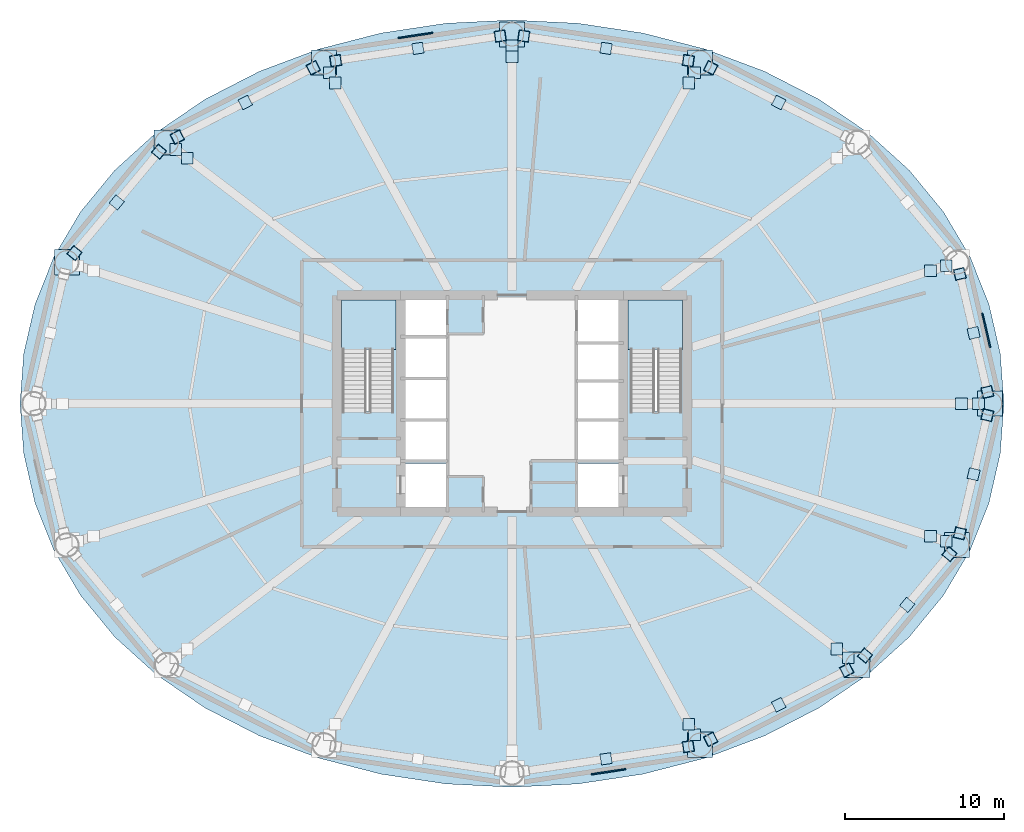
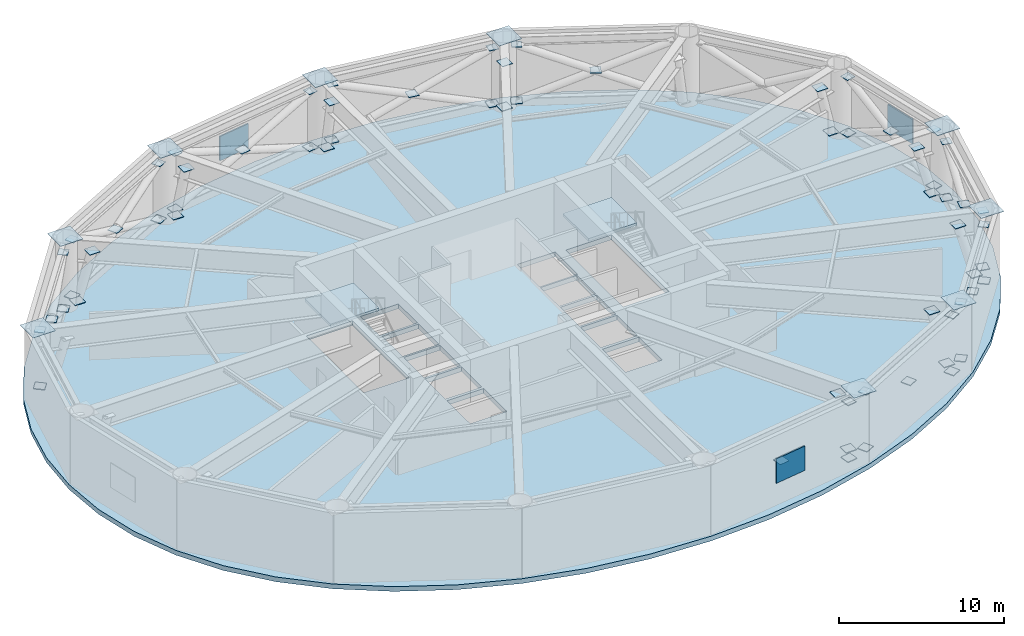
# One storey, part 4 of 7: 76 plates, 3 slabs, 2 elements without a shape of their own.
"""IFC4 building model written with IfcOpenShell, lengths in metres."""

from ifc_helpers import new_model, si_unit, direction, frame, origin, origin_2d, place, context, subcontext, project, spatial, polyline, rectangle, outline, extrude, material, layer, layer_set, type_object, element, aggregate, save


model = new_model("IFC4")

# Units and contexts
model_context = context("Model", 3, precision=1e-05, world=origin(), true_north=direction((0.0, 1.0)))
body_context = subcontext(model_context, "Body", "Model", "MODEL_VIEW")
ifc_project = project(units=[si_unit("LENGTHUNIT", "METRE"), si_unit("AREAUNIT", "SQUARE_METRE"), si_unit("VOLUMEUNIT", "CUBIC_METRE"), si_unit("PLANEANGLEUNIT", "RADIAN"), si_unit("MASSUNIT", "GRAM", prefix="KILO")], contexts=[model_context])

# Site, building, storey
site_placement = place(None, origin())
site = spatial("IfcSite", under=ifc_project, at=site_placement, CompositionType="ELEMENT")
building_placement = place(site_placement, origin())
building = spatial("IfcBuilding", under=site, at=building_placement, Name="Sarneth Arch Tower", CompositionType="ELEMENT")
storey_placement = place(building_placement, frame((0.0, 0.0, 78.60009765625)))
storey = spatial("IfcBuildingStorey", under=building, at=storey_placement, Name="L19", CompositionType="ELEMENT", Elevation=78.60009765625)

# Plates
ifc_material_1 = material(Name="Powder-coated Aluminium 6063-T6 stormproof acoustic louvre", Category="aluminium")
ifc_layer_1 = layer(ifc_material_1, 0.094970703125)
ifc_layer_set_1 = layer_set([ifc_layer_1], Name="Powder-coated Aluminium 6063-T6 stormproof acoustic louvre")
plate_type_1 = type_object("IfcPlateType", Name="LOUVRE-PLANT", PredefinedType="SHEET", material=ifc_layer_set_1)
for number, where, z_axis, x_axis, name in (
    (1, (77.784423828125, 46.60302734375, 1.6748046875), (0.0, 0.0, 1.0), (-0.225461202458, 0.974252147129, 0.0), "L19 Mechanical louvre 01"),
    (2, (41.938720703125, 65.119384765625, 1.6748046875), (0.0, 0.0, 1.0), (-0.988860535448, -0.148845024885, 0.0), "L19 Mechanical louvre 05"),
    (3, (54.061279296875, 18.880615234375, 1.6748046875), (0.0, 0.0, 1.0), (0.988860535448, 0.148845024885, 0.0), "L19 Mechanical louvre 13"),
):
    element("IfcPlate", number, at=place(storey_placement, frame(where, z_axis=z_axis, x_axis=x_axis)), inside=storey, type_object=plate_type_1, Name=name, PredefinedType="SHEET", context=body_context, shape_type="SweptSolid", body=[
        extrude(rectangle(XDim=2.199951171875, YDim=0.094970703125, at=origin_2d()), origin(), (0.0, 0.0, 1.0), 1.800048828125),
    ])
ifc_material_2 = material(Name="Steel S355", Category="steel")
ifc_layer_2 = layer(ifc_material_2, 0.035888671875)
ifc_layer_set_2 = layer_set([ifc_layer_2], Name="Steel S355")
plate_type_2 = type_object("IfcPlateType", Name="PLT-GUSSET-30", PredefinedType="SHEET", material=ifc_layer_set_2)
plate_1_placement = place(storey_placement, frame((77.000244140625, 46.439208984375, 2.4111328125), z_axis=(0.0, 0.0, 1.0), x_axis=(-0.226991275371, 0.973896791711, 0.0)))
element("IfcPlate", 4, at=plate_1_placement, inside=storey, type_object=plate_type_2, Name="Steel end cap plate GP-1", PredefinedType="SHEET", context=body_context, shape_type="SweptSolid", body=[
    extrude(rectangle(XDim=0.679931640625, YDim=0.679931640625, at=origin_2d()), origin(), (0.0, 0.0, 1.0), 0.035888671875),
])
for number, where, z_axis, x_axis, name in (
    (5, (77.864501953125, 42.73046875, 0.33203125), (0.0, 0.0, 1.0), (0.226991275371, -0.973896791711, 0.0), "Steel end cap plate GP-1"),
    (6, (76.1357421875, 50.14794921875, 0.33203125), (0.0, 0.0, 1.0), (-0.226991275371, 0.973896791711, 0.0), "Steel end cap plate GP-1"),
):
    element("IfcPlate", number, at=place(storey_placement, frame(where, z_axis=z_axis, x_axis=x_axis)), inside=storey, type_object=plate_type_2, Name=name, PredefinedType="SHEET", context=body_context, shape_type="SweptSolid", body=[
        extrude(rectangle(XDim=0.699951171875, YDim=0.699951171875, at=origin_2d()), origin(), (0.0, 0.0, 1.0), 0.035888671875),
    ])
for number, where, z_axis, x_axis, name in (
    (7, (77.864501953125, 42.73046875, 4.48974609375), (0.0, 0.0, 1.0), (0.226991275371, -0.973896791711, 0.0), "Steel end cap plate GP-1"),
    (8, (76.1357421875, 50.14794921875, 4.48974609375), (0.0, 0.0, 1.0), (-0.226991275371, 0.973896791711, 0.0), "Steel end cap plate GP-1"),
):
    element("IfcPlate", number, at=place(storey_placement, frame(where, z_axis=z_axis, x_axis=x_axis)), inside=storey, type_object=plate_type_2, Name=name, PredefinedType="SHEET", context=body_context, shape_type="SweptSolid", body=[
        extrude(rectangle(XDim=0.6298828125, YDim=0.6298828125, at=origin_2d()), origin(), (0.0, 0.0, 1.0), 0.035888671875),
    ])
for number, where, z_axis, x_axis, name in (
    (9, (77.3046875, 42.0, 0.43212890625), (0.0, 0.0, 1.0), (1.0, 0.0, 0.0), "Steel end cap plate GP-1"),
    (10, (76.236572265625, 42.0, 4.224609375), (0.0, 0.0, 1.0), (1.0, 0.0, 0.0), "Steel end cap plate GP-1"),
    (11, (75.270263671875, 50.65576171875, 0.43212890625), (0.0, 0.0, 1.0), (1.0, 0.0, 0.0), "Steel end cap plate GP-1"),
    (12, (74.291259765625, 50.342529296875, 4.224609375), (0.0, 0.0, 1.0), (1.0, 0.0, 0.0), "Steel end cap plate GP-1"),
):
    element("IfcPlate", number, at=place(storey_placement, frame(where, z_axis=z_axis, x_axis=x_axis)), inside=storey, type_object=plate_type_2, Name=name, PredefinedType="SHEET", context=body_context, shape_type="SweptSolid", body=[
        extrude(rectangle(XDim=0.72998046875, YDim=0.72998046875, at=origin_2d()), origin(), (0.0, 0.0, 1.0), 0.035888671875),
    ])
plate_2_placement = place(storey_placement, frame((64.75732421875, 60.91943359375, 2.4111328125), z_axis=(0.0, 0.0, 1.0), x_axis=(-0.891164942482, 0.453679452137, 0.0)))
element("IfcPlate", 13, at=plate_2_placement, inside=storey, type_object=plate_type_2, Name="Steel end cap plate GP-1", PredefinedType="SHEET", context=body_context, shape_type="SweptSolid", body=[
    extrude(rectangle(XDim=0.679931640625, YDim=0.679931640625, at=origin_2d()), origin(), (0.0, 0.0, 1.0), 0.035888671875),
])
plate_3_placement = place(storey_placement, frame((60.486083984375, 63.09375, 0.33203125), z_axis=(0.0, 0.0, 1.0), x_axis=(-0.891164942482, 0.453679452137, 0.0)))
element("IfcPlate", 14, at=plate_3_placement, inside=storey, type_object=plate_type_2, Name="Steel end cap plate GP-1", PredefinedType="SHEET", context=body_context, shape_type="SweptSolid", body=[
    extrude(rectangle(XDim=0.699951171875, YDim=0.699951171875, at=origin_2d()), origin(), (0.0, 0.0, 1.0), 0.035888671875),
])
plate_4_placement = place(storey_placement, frame((60.486083984375, 63.09375, 4.48974609375), z_axis=(0.0, 0.0, 1.0), x_axis=(-0.891164942482, 0.453679452137, 0.0)))
element("IfcPlate", 15, at=plate_4_placement, inside=storey, type_object=plate_type_2, Name="Steel end cap plate GP-1", PredefinedType="SHEET", context=body_context, shape_type="SweptSolid", body=[
    extrude(rectangle(XDim=0.6298828125, YDim=0.6298828125, at=origin_2d()), origin(), (0.0, 0.0, 1.0), 0.035888671875),
])
plate_5_placement = place(storey_placement, frame((53.908935546875, 64.31689453125, 2.4111328125), z_axis=(0.0, 0.0, 1.0), x_axis=(-0.989015863362, 0.14780941113, 0.0)))
element("IfcPlate", 16, at=plate_5_placement, inside=storey, type_object=plate_type_2, Name="Steel end cap plate GP-1", PredefinedType="SHEET", context=body_context, shape_type="SweptSolid", body=[
    extrude(rectangle(XDim=0.679931640625, YDim=0.679931640625, at=origin_2d()), origin(), (0.0, 0.0, 1.0), 0.035888671875),
])
for number, where, z_axis, x_axis, name in (
    (17, (59.076171875, 63.544921875, 0.33203125), (0.0, 0.0, 1.0), (0.989015863362, -0.14780941113, 0.0), "Steel end cap plate GP-1"),
    (18, (48.74169921875, 65.089111328125, 0.33203125), (0.0, 0.0, 1.0), (-0.989015863362, 0.14780941113, 0.0), "Steel end cap plate GP-1"),
):
    element("IfcPlate", number, at=place(storey_placement, frame(where, z_axis=z_axis, x_axis=x_axis)), inside=storey, type_object=plate_type_2, Name=name, PredefinedType="SHEET", context=body_context, shape_type="SweptSolid", body=[
        extrude(rectangle(XDim=0.699951171875, YDim=0.699951171875, at=origin_2d()), origin(), (0.0, 0.0, 1.0), 0.035888671875),
    ])
for number, where, z_axis, x_axis, name in (
    (19, (59.076171875, 63.544921875, 4.48974609375), (0.0, 0.0, 1.0), (0.989015863362, -0.14780941113, 0.0), "Steel end cap plate GP-1"),
    (20, (48.74169921875, 65.089111328125, 4.48974609375), (0.0, 0.0, 1.0), (-0.989015863362, 0.14780941113, 0.0), "Steel end cap plate GP-1"),
):
    element("IfcPlate", number, at=place(storey_placement, frame(where, z_axis=z_axis, x_axis=x_axis)), inside=storey, type_object=plate_type_2, Name=name, PredefinedType="SHEET", context=body_context, shape_type="SweptSolid", body=[
        extrude(rectangle(XDim=0.6298828125, YDim=0.6298828125, at=origin_2d()), origin(), (0.0, 0.0, 1.0), 0.035888671875),
    ])
for number, where, z_axis, x_axis, name in (
    (21, (59.467529296875, 62.79345703125, 0.43212890625), (0.0, 0.0, 1.0), (1.0, 0.0, 0.0), "Steel end cap plate GP-1"),
    (22, (59.1103515625, 62.140625, 4.224609375), (0.0, 0.0, 1.0), (1.0, 0.0, 0.0), "Steel end cap plate GP-1"),
):
    element("IfcPlate", number, at=place(storey_placement, frame(where, z_axis=z_axis, x_axis=x_axis)), inside=storey, type_object=plate_type_2, Name=name, PredefinedType="SHEET", context=body_context, shape_type="SweptSolid", body=[
        extrude(rectangle(XDim=0.72998046875, YDim=0.72998046875, at=origin_2d()), origin(), (0.0, 0.0, 1.0), 0.035888671875),
    ])
plate_6_placement = place(storey_placement, frame((42.091064453125, 64.31689453125, 2.4111328125), z_axis=(0.0, 0.0, 1.0), x_axis=(-0.989015863362, -0.14780941113, 0.0)))
element("IfcPlate", 23, at=plate_6_placement, inside=storey, type_object=plate_type_2, Name="Steel end cap plate GP-1", PredefinedType="SHEET", context=body_context, shape_type="SweptSolid", body=[
    extrude(rectangle(XDim=0.679931640625, YDim=0.679931640625, at=origin_2d()), origin(), (0.0, 0.0, 1.0), 0.035888671875),
])
for number, where, z_axis, x_axis, name in (
    (24, (47.25830078125, 65.089111328125, 0.33203125), (0.0, 0.0, 1.0), (0.989015863362, 0.14780941113, 0.0), "Steel end cap plate GP-1"),
    (25, (36.923828125, 63.544921875, 0.33203125), (0.0, 0.0, 1.0), (-0.989015863362, -0.14780941113, 0.0), "Steel end cap plate GP-1"),
):
    element("IfcPlate", number, at=place(storey_placement, frame(where, z_axis=z_axis, x_axis=x_axis)), inside=storey, type_object=plate_type_2, Name=name, PredefinedType="SHEET", context=body_context, shape_type="SweptSolid", body=[
        extrude(rectangle(XDim=0.699951171875, YDim=0.699951171875, at=origin_2d()), origin(), (0.0, 0.0, 1.0), 0.035888671875),
    ])
for number, where, z_axis, x_axis, name in (
    (26, (47.25830078125, 65.089111328125, 4.48974609375), (0.0, 0.0, 1.0), (0.989015863362, 0.14780941113, 0.0), "Steel end cap plate GP-1"),
    (27, (36.923828125, 63.544921875, 4.48974609375), (0.0, 0.0, 1.0), (-0.989015863362, -0.14780941113, 0.0), "Steel end cap plate GP-1"),
):
    element("IfcPlate", number, at=place(storey_placement, frame(where, z_axis=z_axis, x_axis=x_axis)), inside=storey, type_object=plate_type_2, Name=name, PredefinedType="SHEET", context=body_context, shape_type="SweptSolid", body=[
        extrude(rectangle(XDim=0.6298828125, YDim=0.6298828125, at=origin_2d()), origin(), (0.0, 0.0, 1.0), 0.035888671875),
    ])
for number, where, z_axis, x_axis, name in (
    (28, (48.0, 64.469970703125, 0.43212890625), (0.0, 0.0, 1.0), (1.0, 0.0, 0.0), "Steel end cap plate GP-1"),
    (29, (48.0, 63.800048828125, 4.224609375), (0.0, 0.0, 1.0), (1.0, 0.0, 0.0), "Steel end cap plate GP-1"),
):
    element("IfcPlate", number, at=place(storey_placement, frame(where, z_axis=z_axis, x_axis=x_axis)), inside=storey, type_object=plate_type_2, Name=name, PredefinedType="SHEET", context=body_context, shape_type="SweptSolid", body=[
        extrude(rectangle(XDim=0.72998046875, YDim=0.72998046875, at=origin_2d()), origin(), (0.0, 0.0, 1.0), 0.035888671875),
    ])
plate_7_placement = place(storey_placement, frame((31.24267578125, 60.91943359375, 2.4111328125), z_axis=(0.0, 0.0, 1.0), x_axis=(-0.891164942482, -0.453679452137, 0.0)))
element("IfcPlate", 30, at=plate_7_placement, inside=storey, type_object=plate_type_2, Name="Steel end cap plate GP-1", PredefinedType="SHEET", context=body_context, shape_type="SweptSolid", body=[
    extrude(rectangle(XDim=0.679931640625, YDim=0.679931640625, at=origin_2d()), origin(), (0.0, 0.0, 1.0), 0.035888671875),
])
for number, where, z_axis, x_axis, name in (
    (31, (35.513916015625, 63.09375, 0.33203125), (0.0, 0.0, 1.0), (0.891164942482, 0.453679452137, 0.0), "Steel end cap plate GP-1"),
    (32, (26.9716796875, 58.7451171875, 0.33203125), (0.0, 0.0, 1.0), (-0.891164942482, -0.453679452137, 0.0), "Steel end cap plate GP-1"),
):
    element("IfcPlate", number, at=place(storey_placement, frame(where, z_axis=z_axis, x_axis=x_axis)), inside=storey, type_object=plate_type_2, Name=name, PredefinedType="SHEET", context=body_context, shape_type="SweptSolid", body=[
        extrude(rectangle(XDim=0.699951171875, YDim=0.699951171875, at=origin_2d()), origin(), (0.0, 0.0, 1.0), 0.035888671875),
    ])
for number, where, z_axis, x_axis, name in (
    (33, (35.513916015625, 63.09375, 4.48974609375), (0.0, 0.0, 1.0), (0.891164942482, 0.453679452137, 0.0), "Steel end cap plate GP-1"),
    (34, (26.9716796875, 58.7451171875, 4.48974609375), (0.0, 0.0, 1.0), (-0.891164942482, -0.453679452137, 0.0), "Steel end cap plate GP-1"),
):
    element("IfcPlate", number, at=place(storey_placement, frame(where, z_axis=z_axis, x_axis=x_axis)), inside=storey, type_object=plate_type_2, Name=name, PredefinedType="SHEET", context=body_context, shape_type="SweptSolid", body=[
        extrude(rectangle(XDim=0.6298828125, YDim=0.6298828125, at=origin_2d()), origin(), (0.0, 0.0, 1.0), 0.035888671875),
    ])
for number, where, z_axis, x_axis, name in (
    (35, (36.532470703125, 62.79345703125, 0.43212890625), (0.0, 0.0, 1.0), (1.0, 0.0, 0.0), "Steel end cap plate GP-1"),
    (36, (36.8896484375, 62.140625, 4.224609375), (0.0, 0.0, 1.0), (1.0, 0.0, 0.0), "Steel end cap plate GP-1"),
):
    element("IfcPlate", number, at=place(storey_placement, frame(where, z_axis=z_axis, x_axis=x_axis)), inside=storey, type_object=plate_type_2, Name=name, PredefinedType="SHEET", context=body_context, shape_type="SweptSolid", body=[
        extrude(rectangle(XDim=0.72998046875, YDim=0.72998046875, at=origin_2d()), origin(), (0.0, 0.0, 1.0), 0.035888671875),
    ])
plate_8_placement = place(storey_placement, frame((23.1689453125, 54.6416015625, 2.4111328125), z_axis=(0.0, 0.0, 1.0), x_axis=(-0.639975598965, -0.76839523211, 0.0)))
element("IfcPlate", 37, at=plate_8_placement, inside=storey, type_object=plate_type_2, Name="Steel end cap plate GP-1", PredefinedType="SHEET", context=body_context, shape_type="SweptSolid", body=[
    extrude(rectangle(XDim=0.679931640625, YDim=0.679931640625, at=origin_2d()), origin(), (0.0, 0.0, 1.0), 0.035888671875),
])
for number, where, z_axis, x_axis, name in (
    (38, (25.8232421875, 57.82861328125, 0.33203125), (0.0, 0.0, 1.0), (0.639975598965, 0.76839523211, 0.0), "Steel end cap plate GP-1"),
    (39, (20.514404296875, 51.45458984375, 0.33203125), (0.0, 0.0, 1.0), (-0.639975598965, -0.76839523211, 0.0), "Steel end cap plate GP-1"),
):
    element("IfcPlate", number, at=place(storey_placement, frame(where, z_axis=z_axis, x_axis=x_axis)), inside=storey, type_object=plate_type_2, Name=name, PredefinedType="SHEET", context=body_context, shape_type="SweptSolid", body=[
        extrude(rectangle(XDim=0.699951171875, YDim=0.699951171875, at=origin_2d()), origin(), (0.0, 0.0, 1.0), 0.035888671875),
    ])
for number, where, z_axis, x_axis, name in (
    (40, (25.8232421875, 57.82861328125, 4.48974609375), (0.0, 0.0, 1.0), (0.639975598965, 0.76839523211, 0.0), "Steel end cap plate GP-1"),
    (41, (20.514404296875, 51.45458984375, 4.48974609375), (0.0, 0.0, 1.0), (-0.639975598965, -0.76839523211, 0.0), "Steel end cap plate GP-1"),
):
    element("IfcPlate", number, at=place(storey_placement, frame(where, z_axis=z_axis, x_axis=x_axis)), inside=storey, type_object=plate_type_2, Name=name, PredefinedType="SHEET", context=body_context, shape_type="SweptSolid", body=[
        extrude(rectangle(XDim=0.6298828125, YDim=0.6298828125, at=origin_2d()), origin(), (0.0, 0.0, 1.0), 0.035888671875),
    ])
for number, where, z_axis, x_axis, name in (
    (42, (26.884033203125, 57.96240234375, 0.43212890625), (0.0, 0.0, 1.0), (1.0, 0.0, 0.0), "Steel end cap plate GP-1"),
    (43, (27.602294921875, 57.4150390625, 4.224609375), (0.0, 0.0, 1.0), (1.0, 0.0, 0.0), "Steel end cap plate GP-1"),
):
    element("IfcPlate", number, at=place(storey_placement, frame(where, z_axis=z_axis, x_axis=x_axis)), inside=storey, type_object=plate_type_2, Name=name, PredefinedType="SHEET", context=body_context, shape_type="SweptSolid", body=[
        extrude(rectangle(XDim=0.72998046875, YDim=0.72998046875, at=origin_2d()), origin(), (0.0, 0.0, 1.0), 0.035888671875),
    ])
plate_9_placement = place(storey_placement, frame((53.908935546875, 19.68310546875, 2.4111328125), z_axis=(0.0, 0.0, 1.0), x_axis=(0.989015863362, 0.14780941113, 0.0)))
element("IfcPlate", 44, at=plate_9_placement, inside=storey, type_object=plate_type_2, Name="Steel end cap plate GP-1", PredefinedType="SHEET", context=body_context, shape_type="SweptSolid", body=[
    extrude(rectangle(XDim=0.679931640625, YDim=0.679931640625, at=origin_2d()), origin(), (0.0, 0.0, 1.0), 0.035888671875),
])
plate_10_placement = place(storey_placement, frame((59.076171875, 20.455078125, 0.33203125), z_axis=(0.0, 0.0, 1.0), x_axis=(0.989015863362, 0.14780941113, 0.0)))
element("IfcPlate", 45, at=plate_10_placement, inside=storey, type_object=plate_type_2, Name="Steel end cap plate GP-1", PredefinedType="SHEET", context=body_context, shape_type="SweptSolid", body=[
    extrude(rectangle(XDim=0.699951171875, YDim=0.699951171875, at=origin_2d()), origin(), (0.0, 0.0, 1.0), 0.035888671875),
])
plate_11_placement = place(storey_placement, frame((59.076171875, 20.455078125, 4.48974609375), z_axis=(0.0, 0.0, 1.0), x_axis=(0.989015863362, 0.14780941113, 0.0)))
element("IfcPlate", 46, at=plate_11_placement, inside=storey, type_object=plate_type_2, Name="Steel end cap plate GP-1", PredefinedType="SHEET", context=body_context, shape_type="SweptSolid", body=[
    extrude(rectangle(XDim=0.6298828125, YDim=0.6298828125, at=origin_2d()), origin(), (0.0, 0.0, 1.0), 0.035888671875),
])
plate_12_placement = place(storey_placement, frame((64.75732421875, 23.08056640625, 2.4111328125), z_axis=(0.0, 0.0, 1.0), x_axis=(0.891164942482, 0.453679452137, 0.0)))
element("IfcPlate", 47, at=plate_12_placement, inside=storey, type_object=plate_type_2, Name="Steel end cap plate GP-1", PredefinedType="SHEET", context=body_context, shape_type="SweptSolid", body=[
    extrude(rectangle(XDim=0.679931640625, YDim=0.679931640625, at=origin_2d()), origin(), (0.0, 0.0, 1.0), 0.035888671875),
])
for number, where, z_axis, x_axis, name in (
    (48, (60.486083984375, 20.90625, 0.33203125), (0.0, 0.0, 1.0), (-0.891164942482, -0.453679452137, 0.0), "Steel end cap plate GP-1"),
    (49, (69.0283203125, 25.2548828125, 0.33203125), (0.0, 0.0, 1.0), (0.891164942482, 0.453679452137, 0.0), "Steel end cap plate GP-1"),
):
    element("IfcPlate", number, at=place(storey_placement, frame(where, z_axis=z_axis, x_axis=x_axis)), inside=storey, type_object=plate_type_2, Name=name, PredefinedType="SHEET", context=body_context, shape_type="SweptSolid", body=[
        extrude(rectangle(XDim=0.699951171875, YDim=0.699951171875, at=origin_2d()), origin(), (0.0, 0.0, 1.0), 0.035888671875),
    ])
for number, where, z_axis, x_axis, name in (
    (50, (60.486083984375, 20.90625, 4.48974609375), (0.0, 0.0, 1.0), (-0.891164942482, -0.453679452137, 0.0), "Steel end cap plate GP-1"),
    (51, (69.0283203125, 25.2548828125, 4.48974609375), (0.0, 0.0, 1.0), (0.891164942482, 0.453679452137, 0.0), "Steel end cap plate GP-1"),
):
    element("IfcPlate", number, at=place(storey_placement, frame(where, z_axis=z_axis, x_axis=x_axis)), inside=storey, type_object=plate_type_2, Name=name, PredefinedType="SHEET", context=body_context, shape_type="SweptSolid", body=[
        extrude(rectangle(XDim=0.6298828125, YDim=0.6298828125, at=origin_2d()), origin(), (0.0, 0.0, 1.0), 0.035888671875),
    ])
for number, where, z_axis, x_axis, name in (
    (52, (59.467529296875, 21.20654296875, 0.43212890625), (0.0, 0.0, 1.0), (1.0, 0.0, 0.0), "Steel end cap plate GP-1"),
    (53, (59.1103515625, 21.859375, 4.224609375), (0.0, 0.0, 1.0), (1.0, 0.0, 0.0), "Steel end cap plate GP-1"),
):
    element("IfcPlate", number, at=place(storey_placement, frame(where, z_axis=z_axis, x_axis=x_axis)), inside=storey, type_object=plate_type_2, Name=name, PredefinedType="SHEET", context=body_context, shape_type="SweptSolid", body=[
        extrude(rectangle(XDim=0.72998046875, YDim=0.72998046875, at=origin_2d()), origin(), (0.0, 0.0, 1.0), 0.035888671875),
    ])
plate_13_placement = place(storey_placement, frame((72.8310546875, 29.3583984375, 2.4111328125), z_axis=(0.0, 0.0, 1.0), x_axis=(0.639975598965, 0.76839523211, 0.0)))
element("IfcPlate", 54, at=plate_13_placement, inside=storey, type_object=plate_type_2, Name="Steel end cap plate GP-1", PredefinedType="SHEET", context=body_context, shape_type="SweptSolid", body=[
    extrude(rectangle(XDim=0.679931640625, YDim=0.679931640625, at=origin_2d()), origin(), (0.0, 0.0, 1.0), 0.035888671875),
])
for number, where, z_axis, x_axis, name in (
    (55, (70.1767578125, 26.17138671875, 0.33203125), (0.0, 0.0, 1.0), (-0.639975598965, -0.76839523211, 0.0), "Steel end cap plate GP-1"),
    (56, (75.485595703125, 32.54541015625, 0.33203125), (0.0, 0.0, 1.0), (0.639975598965, 0.76839523211, 0.0), "Steel end cap plate GP-1"),
):
    element("IfcPlate", number, at=place(storey_placement, frame(where, z_axis=z_axis, x_axis=x_axis)), inside=storey, type_object=plate_type_2, Name=name, PredefinedType="SHEET", context=body_context, shape_type="SweptSolid", body=[
        extrude(rectangle(XDim=0.699951171875, YDim=0.699951171875, at=origin_2d()), origin(), (0.0, 0.0, 1.0), 0.035888671875),
    ])
for number, where, z_axis, x_axis, name in (
    (57, (70.1767578125, 26.17138671875, 4.48974609375), (0.0, 0.0, 1.0), (-0.639975598965, -0.76839523211, 0.0), "Steel end cap plate GP-1"),
    (58, (75.485595703125, 32.54541015625, 4.48974609375), (0.0, 0.0, 1.0), (0.639975598965, 0.76839523211, 0.0), "Steel end cap plate GP-1"),
):
    element("IfcPlate", number, at=place(storey_placement, frame(where, z_axis=z_axis, x_axis=x_axis)), inside=storey, type_object=plate_type_2, Name=name, PredefinedType="SHEET", context=body_context, shape_type="SweptSolid", body=[
        extrude(rectangle(XDim=0.6298828125, YDim=0.6298828125, at=origin_2d()), origin(), (0.0, 0.0, 1.0), 0.035888671875),
    ])
for number, where, z_axis, x_axis, name in (
    (59, (69.115966796875, 26.03759765625, 0.43212890625), (0.0, 0.0, 1.0), (1.0, 0.0, 0.0), "Steel end cap plate GP-1"),
    (60, (68.397705078125, 26.5849609375, 4.224609375), (0.0, 0.0, 1.0), (1.0, 0.0, 0.0), "Steel end cap plate GP-1"),
):
    element("IfcPlate", number, at=place(storey_placement, frame(where, z_axis=z_axis, x_axis=x_axis)), inside=storey, type_object=plate_type_2, Name=name, PredefinedType="SHEET", context=body_context, shape_type="SweptSolid", body=[
        extrude(rectangle(XDim=0.72998046875, YDim=0.72998046875, at=origin_2d()), origin(), (0.0, 0.0, 1.0), 0.035888671875),
    ])
plate_14_placement = place(storey_placement, frame((77.000244140625, 37.560791015625, 2.4111328125), z_axis=(0.0, 0.0, 1.0), x_axis=(0.226991275371, 0.973896791711, 0.0)))
element("IfcPlate", 61, at=plate_14_placement, inside=storey, type_object=plate_type_2, Name="Steel end cap plate GP-1", PredefinedType="SHEET", context=body_context, shape_type="SweptSolid", body=[
    extrude(rectangle(XDim=0.679931640625, YDim=0.679931640625, at=origin_2d()), origin(), (0.0, 0.0, 1.0), 0.035888671875),
])
for number, where, z_axis, x_axis, name in (
    (62, (76.1357421875, 33.85205078125, 0.33203125), (0.0, 0.0, 1.0), (-0.226991275371, -0.973896791711, 0.0), "Steel end cap plate GP-1"),
    (63, (77.864501953125, 41.26953125, 0.33203125), (0.0, 0.0, 1.0), (0.226991275371, 0.973896791711, 0.0), "Steel end cap plate GP-1"),
):
    element("IfcPlate", number, at=place(storey_placement, frame(where, z_axis=z_axis, x_axis=x_axis)), inside=storey, type_object=plate_type_2, Name=name, PredefinedType="SHEET", context=body_context, shape_type="SweptSolid", body=[
        extrude(rectangle(XDim=0.699951171875, YDim=0.699951171875, at=origin_2d()), origin(), (0.0, 0.0, 1.0), 0.035888671875),
    ])
for number, where, z_axis, x_axis, name in (
    (64, (76.1357421875, 33.85205078125, 4.48974609375), (0.0, 0.0, 1.0), (-0.226991275371, -0.973896791711, 0.0), "Steel end cap plate GP-1"),
    (65, (77.864501953125, 41.26953125, 4.48974609375), (0.0, 0.0, 1.0), (0.226991275371, 0.973896791711, 0.0), "Steel end cap plate GP-1"),
):
    element("IfcPlate", number, at=place(storey_placement, frame(where, z_axis=z_axis, x_axis=x_axis)), inside=storey, type_object=plate_type_2, Name=name, PredefinedType="SHEET", context=body_context, shape_type="SweptSolid", body=[
        extrude(rectangle(XDim=0.6298828125, YDim=0.6298828125, at=origin_2d()), origin(), (0.0, 0.0, 1.0), 0.035888671875),
    ])
for number, where, z_axis, x_axis, name in (
    (66, (75.270263671875, 33.34423828125, 0.43212890625), (0.0, 0.0, 1.0), (1.0, 0.0, 0.0), "Steel end cap plate GP-1"),
    (67, (74.291259765625, 33.657470703125, 4.224609375), (0.0, 0.0, 1.0), (1.0, 0.0, 0.0), "Steel end cap plate GP-1"),
):
    element("IfcPlate", number, at=place(storey_placement, frame(where, z_axis=z_axis, x_axis=x_axis)), inside=storey, type_object=plate_type_2, Name=name, PredefinedType="SHEET", context=body_context, shape_type="SweptSolid", body=[
        extrude(rectangle(XDim=0.72998046875, YDim=0.72998046875, at=origin_2d()), origin(), (0.0, 0.0, 1.0), 0.035888671875),
    ])
ifc_material_3 = material(Name="Steel S355", Category="steel")
ifc_layer_3 = layer(ifc_material_3, 0.0400390625)
ifc_layer_set_3 = layer_set([ifc_layer_3], Name="Steel S355")
plate_type_3 = type_object("IfcPlateType", Name="PLT-SPLICE-40", PredefinedType="SHEET", material=ifc_layer_set_3)
for number, where, z_axis, x_axis, name in (
    (68, (78.034912109375, 42.0, 5.1318359375), (0.0, 0.0, 1.0), (1.0, 0.0, 0.0), "Steel end cap plate GP-2"),
    (69, (59.81787109375, 63.43408203125, 5.1318359375), (0.0, 0.0, 1.0), (1.0, 0.0, 0.0), "Steel end cap plate GP-2"),
    (70, (48.0, 65.199951171875, 5.1318359375), (0.0, 0.0, 1.0), (1.0, 0.0, 0.0), "Steel end cap plate GP-2"),
    (71, (36.18212890625, 63.43408203125, 5.1318359375), (0.0, 0.0, 1.0), (1.0, 0.0, 0.0), "Steel end cap plate GP-2"),
    (72, (26.303466796875, 58.40478515625, 5.1318359375), (0.0, 0.0, 1.0), (1.0, 0.0, 0.0), "Steel end cap plate GP-2"),
    (73, (20.034423828125, 50.878173828125, 5.1318359375), (0.0, 0.0, 1.0), (1.0, 0.0, 0.0), "Steel end cap plate GP-2"),
    (74, (59.81787109375, 20.56591796875, 5.1318359375), (0.0, 0.0, 1.0), (1.0, 0.0, 0.0), "Steel end cap plate GP-2"),
    (75, (69.696533203125, 25.59521484375, 5.1318359375), (0.0, 0.0, 1.0), (1.0, 0.0, 0.0), "Steel end cap plate GP-2"),
    (76, (75.965576171875, 33.121826171875, 5.1318359375), (0.0, 0.0, 1.0), (1.0, 0.0, 0.0), "Steel end cap plate GP-2"),
):
    element("IfcPlate", number, at=place(storey_placement, frame(where, z_axis=z_axis, x_axis=x_axis)), inside=storey, type_object=plate_type_3, Name=name, PredefinedType="SHEET", context=body_context, shape_type="SweptSolid", body=[
        extrude(rectangle(XDim=1.580078125, YDim=1.580078125, at=origin_2d()), origin(), (0.0, 0.0, 1.0), 0.035888671875),
    ])

# Stair, slab
ifc_material_4 = material(Name="Concrete C50/60", Category="concrete")
stair_type = type_object("IfcStairType", Name="STAIR-CORE-RC", PredefinedType="HALF_TURN_STAIR", material=ifc_material_4)
stair_1_placement = place(storey_placement, origin())
stair_1 = element("IfcStair", 77, at=stair_1_placement, inside=storey, type_object=stair_type, Name="L19 Core Exit Stair 1", PredefinedType="HALF_TURN_STAIR")
ifc_material_5 = material(Name="Concrete C50/60", Category="concrete")
ifc_layer_4 = layer(ifc_material_5, 0.199951171875)
ifc_layer_set_4 = layer_set([ifc_layer_4], Name="Concrete C50/60")
slab_type_1 = type_object("IfcSlabType", Name="SLAB-LANDING-200", PredefinedType="LANDING", material=ifc_layer_set_4)
slab_1_placement = place(storey_placement, frame((0.0, 0.0, 2.5)))
slab_1 = element("IfcSlab", 78, at=slab_1_placement, type_object=slab_type_1, Name="ST-1 landing 1", PredefinedType="LANDING", context=body_context, shape_type="SweptSolid", body=[
    extrude(outline(polyline([(37.300048828125, 45.409912109375), (40.699951171875, 45.409912109375), (40.699951171875, 48.5), (37.300048828125, 48.5), (37.300048828125, 45.409912109375)])), origin(), (0.0, 0.0, 1.0), 0.199951171875),
])
aggregate(stair_1, [slab_1])

stair_2_placement = place(storey_placement, origin())
stair_2 = element("IfcStair", 79, at=stair_2_placement, inside=storey, type_object=stair_type, Name="L19 Core Exit Stair 2", PredefinedType="HALF_TURN_STAIR")
slab_2_placement = place(storey_placement, frame((0.0, 0.0, 2.5)))
slab_2 = element("IfcSlab", 80, at=slab_2_placement, type_object=slab_type_1, Name="ST-2 landing 1", PredefinedType="LANDING", context=body_context, shape_type="SweptSolid", body=[
    extrude(outline(polyline([(55.300048828125, 45.409912109375), (58.699951171875, 45.409912109375), (58.699951171875, 48.5), (55.300048828125, 48.5), (55.300048828125, 45.409912109375)])), origin(), (0.0, 0.0, 1.0), 0.199951171875),
])
aggregate(stair_2, [slab_2])

# Slab
ifc_material_6 = material(Name="Concrete C60/75", Category="concrete")
ifc_layer_5 = layer(ifc_material_6, 0.35009765625)
ifc_layer_set_5 = layer_set([ifc_layer_5], Name="Concrete C60/75")
slab_type_2 = type_object("IfcSlabType", Name="SLAB-XFER-350", PredefinedType="FLOOR", material=ifc_layer_set_5)
slab_3_placement = place(storey_placement, frame((0.0, 0.0, -0.35009765625)))
element("IfcSlab", 81, at=slab_3_placement, inside=storey, type_object=slab_type_2, Name="L19 Elliptical floor slab", PredefinedType="FLOOR", context=body_context, shape_type="SweptSolid", body=[
    extrude(outline(polyline([(78.90966796875, 42.0), (78.675048828125, 45.145751953125), (77.9677734375, 48.237548828125), (76.780029296875, 51.22265625), (75.10595703125, 54.050048828125), (72.94873046875, 56.671142578125), (70.32861328125, 59.041259765625), (67.2841796875, 61.119873046875), (63.8720703125, 62.87109375), (60.162109375, 64.265380859375), (56.2294921875, 65.27880859375), (52.150634765625, 65.893798828125), (48.0, 66.10009765625), (43.849365234375, 65.893798828125), (39.7705078125, 65.27880859375), (35.837890625, 64.265380859375), (32.1279296875, 62.87109375), (28.7158203125, 61.119873046875), (25.67138671875, 59.041259765625), (23.05126953125, 56.671142578125), (20.89404296875, 54.050048828125), (19.219970703125, 51.22265625), (18.0322265625, 48.237548828125), (17.324951171875, 45.145751953125), (17.09033203125, 42.0), (17.324951171875, 38.854248046875), (18.0322265625, 35.762451171875), (19.219970703125, 32.77734375), (20.89404296875, 29.949951171875), (23.05126953125, 27.328857421875), (25.67138671875, 24.958740234375), (28.7158203125, 22.880126953125), (32.1279296875, 21.12890625), (35.837890625, 19.734619140625), (39.7705078125, 18.72119140625), (43.849365234375, 18.106201171875), (48.0, 17.89990234375), (52.150634765625, 18.106201171875), (56.2294921875, 18.72119140625), (60.162109375, 19.734619140625), (63.8720703125, 21.12890625), (67.2841796875, 22.880126953125), (70.32861328125, 24.958740234375), (72.94873046875, 27.328857421875), (75.10595703125, 29.949951171875), (76.780029296875, 32.77734375), (77.9677734375, 35.762451171875), (78.675048828125, 38.854248046875), (78.90966796875, 42.0)]), holes=[polyline([(37.35009765625, 41.489990234375), (40.550048828125, 41.489990234375), (40.550048828125, 48.39990234375), (37.35009765625, 48.39990234375), (37.35009765625, 41.489990234375)]), polyline([(55.449951171875, 41.489990234375), (58.64990234375, 41.489990234375), (58.64990234375, 48.39990234375), (55.449951171875, 48.39990234375), (55.449951171875, 41.489990234375)]), polyline([(41.199951171875, 46.25), (43.85009765625, 46.25), (43.85009765625, 48.550048828125), (41.199951171875, 48.550048828125), (41.199951171875, 46.25)]), polyline([(41.300048828125, 35.449951171875), (43.85009765625, 35.449951171875), (43.85009765625, 38.25), (41.300048828125, 38.25), (41.300048828125, 35.449951171875)]), polyline([(52.14990234375, 35.449951171875), (54.699951171875, 35.449951171875), (54.699951171875, 38.25), (52.14990234375, 38.25), (52.14990234375, 35.449951171875)]), polyline([(52.14990234375, 45.85009765625), (54.800048828125, 45.85009765625), (54.800048828125, 48.550048828125), (52.14990234375, 48.550048828125), (52.14990234375, 45.85009765625)]), polyline([(41.300048828125, 38.449951171875), (43.85009765625, 38.449951171875), (43.85009765625, 40.89990234375), (41.300048828125, 40.89990234375), (41.300048828125, 38.449951171875)]), polyline([(41.300048828125, 41.050048828125), (43.85009765625, 41.050048828125), (43.85009765625, 43.5), (41.300048828125, 43.5), (41.300048828125, 41.050048828125)]), polyline([(41.300048828125, 43.64990234375), (43.85009765625, 43.64990234375), (43.85009765625, 46.10009765625), (41.300048828125, 46.10009765625), (41.300048828125, 43.64990234375)]), polyline([(52.14990234375, 38.449951171875), (54.699951171875, 38.449951171875), (54.699951171875, 40.89990234375), (52.14990234375, 40.89990234375), (52.14990234375, 38.449951171875)]), polyline([(52.14990234375, 41.050048828125), (54.699951171875, 41.050048828125), (54.699951171875, 43.35009765625), (52.14990234375, 43.35009765625), (52.14990234375, 41.050048828125)]), polyline([(52.14990234375, 43.5), (54.699951171875, 43.5), (54.699951171875, 45.75), (52.14990234375, 45.75), (52.14990234375, 43.5)])]), origin(), (0.0, 0.0, 1.0), 0.35009765625),
])

save(model, "model.ifc")
